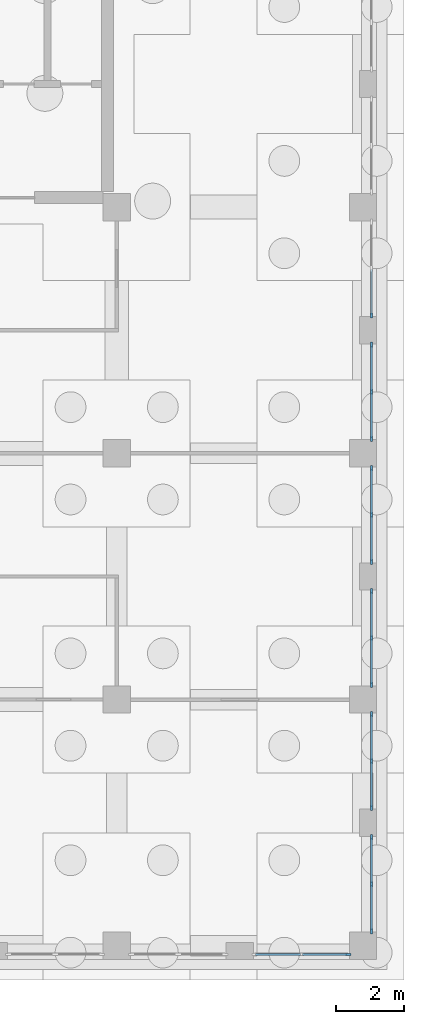
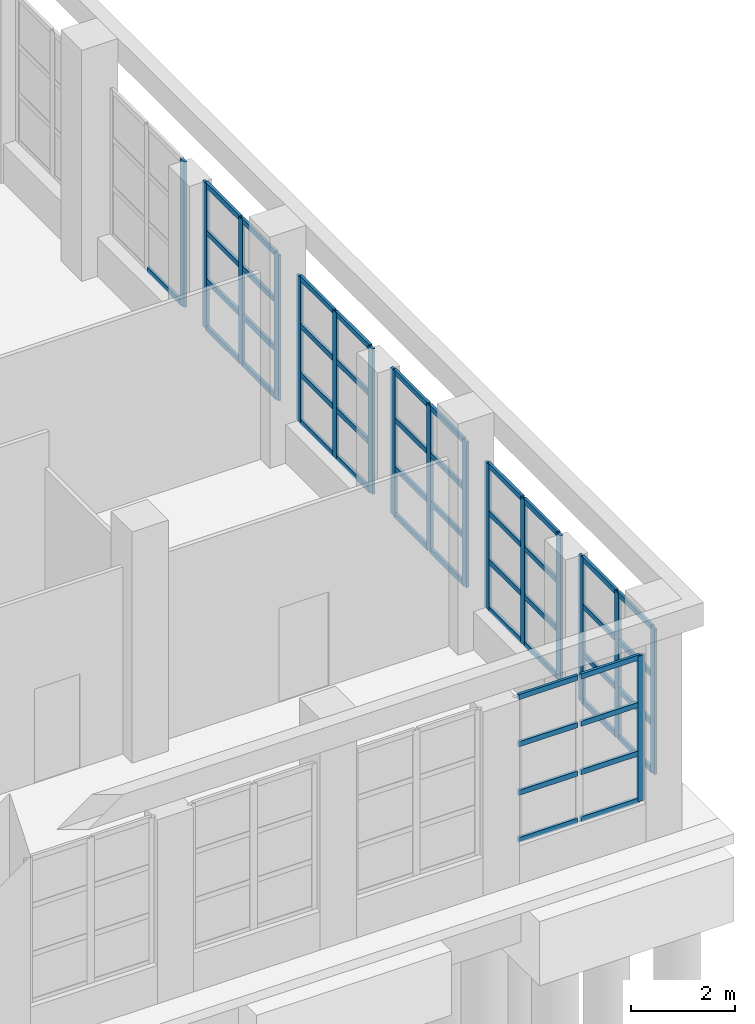
# One storey, part 18 of 80: 66 members, 7 elements without a shape of their own.
"""IFC4 building model written with IfcOpenShell, lengths in metres."""

from ifc_helpers import new_model, si_unit, direction, frame, origin, origin_2d, place, context, subcontext, project, spatial, rectangle, extrude, material, layer, layer_set, material_profile, profile_set, type_object, element, aggregate, save


model = new_model("IFC4")

# Units and contexts
model_context = context("Model", 3, precision=1e-05, world=origin(), true_north=direction((0.0, 1.0)))
body_context = subcontext(model_context, "Body", "Model", "MODEL_VIEW")
ifc_project = project(units=[si_unit("LENGTHUNIT", "METRE"), si_unit("AREAUNIT", "SQUARE_METRE"), si_unit("VOLUMEUNIT", "CUBIC_METRE"), si_unit("PLANEANGLEUNIT", "RADIAN"), si_unit("MASSUNIT", "GRAM", prefix="KILO")], contexts=[model_context])

# Site, building, storey
site_placement = place(None, origin())
site = spatial("IfcSite", under=ifc_project, at=site_placement, CompositionType="ELEMENT")
building_placement = place(site_placement, origin())
building = spatial("IfcBuilding", under=site, at=building_placement, Name="Ussher Court Research Institute", CompositionType="ELEMENT")
storey_placement = place(building_placement, origin())
storey = spatial("IfcBuildingStorey", under=building, at=storey_placement, Name="L00", CompositionType="ELEMENT", Elevation=0.0)

# Curtain wall, member
ifc_material_1 = material(Name="Bronze anodised aluminium with tinted glass", Category="aluminium")
ifc_layer = layer(ifc_material_1, 0.1201171875)
ifc_layer_set = layer_set([ifc_layer], Name="Bronze anodised aluminium with tinted glass")
curtain_wall_type = type_object("IfcCurtainWallType", Name="Curtain wall wet laboratory base storefront", PredefinedType="NOTDEFINED", material=ifc_layer_set)
curtain_wall_1_placement = place(storey_placement, origin())
curtain_wall_1 = element("IfcCurtainWall", 1, at=curtain_wall_1_placement, inside=storey, type_object=curtain_wall_type, Name="Curtain wall CW1 L00", PredefinedType="NOTDEFINED")
ifc_material_2 = material(Name="Bronze anodised aluminium", Category="aluminium")
ifc_material_profile_1 = material_profile(ifc_material_2, rectangle(XDim=0.06005859375, YDim=0.159912109375, at=origin_2d()), Name="Mullion 60x160")
ifc_profile_set_1 = profile_set([ifc_material_profile_1], Name="Bronze anodised aluminium")
member_type_1 = type_object("IfcMemberType", Name="Mullion 60x160", PredefinedType="MULLION", material=ifc_profile_set_1)
member_1_placement = place(storey_placement, frame((104.050048828125, 22.429931640625, 0.89990234375), z_axis=(0.0, 0.0, 1.0), x_axis=(1.0, 0.0, 0.0)))
member_1 = element("IfcMember", 2, at=member_1_placement, type_object=member_type_1, Name="CW1 mullion 3", PredefinedType="MULLION", context=body_context, shape_type="SweptSolid", body=[
    extrude(rectangle(XDim=0.06005859375, YDim=0.159912109375, at=origin_2d()), origin(), (0.0, 0.0, 1.0), 3.400146484375),
])

# Curtain wall, members
curtain_wall_2_placement = place(storey_placement, origin())
curtain_wall_2 = element("IfcCurtainWall", 3, at=curtain_wall_2_placement, inside=storey, type_object=curtain_wall_type, Name="Curtain wall CW1 L00", PredefinedType="NOTDEFINED")
member_2_placement = place(storey_placement, frame((104.050048828125, 21.570068359375, 0.89990234375), z_axis=(0.0, 0.0, 1.0), x_axis=(1.0, 0.0, 0.0)))
member_2 = element("IfcMember", 4, at=member_2_placement, type_object=member_type_1, Name="CW1 mullion 1", PredefinedType="MULLION", context=body_context, shape_type="SweptSolid", body=[
    extrude(rectangle(XDim=0.06005859375, YDim=0.159912109375, at=origin_2d()), origin(), (0.0, 0.0, 1.0), 3.400146484375),
])
member_3_placement = place(storey_placement, frame((104.050048828125, 20.199951171875, 0.89990234375), z_axis=(0.0, 0.0, 1.0), x_axis=(1.0, 0.0, 0.0)))
member_3 = element("IfcMember", 5, at=member_3_placement, type_object=member_type_1, Name="CW1 mullion 2", PredefinedType="MULLION", context=body_context, shape_type="SweptSolid", body=[
    extrude(rectangle(XDim=0.06005859375, YDim=0.159912109375, at=origin_2d()), origin(), (0.0, 0.0, 1.0), 3.400146484375),
])
member_4_placement = place(storey_placement, frame((104.050048828125, 18.830078125, 0.89990234375), z_axis=(0.0, 0.0, 1.0), x_axis=(1.0, 0.0, 0.0)))
member_4 = element("IfcMember", 6, at=member_4_placement, type_object=member_type_1, Name="CW1 mullion 3", PredefinedType="MULLION", context=body_context, shape_type="SweptSolid", body=[
    extrude(rectangle(XDim=0.06005859375, YDim=0.159912109375, at=origin_2d()), origin(), (0.0, 0.0, 1.0), 3.400146484375),
])

curtain_wall_3_placement = place(storey_placement, origin())
curtain_wall_3 = element("IfcCurtainWall", 7, at=curtain_wall_3_placement, inside=storey, type_object=curtain_wall_type, Name="Curtain wall CW1 L00", PredefinedType="NOTDEFINED")
member_5_placement = place(storey_placement, frame((104.050048828125, 17.969970703125, 0.89990234375), z_axis=(0.0, 0.0, 1.0), x_axis=(1.0, 0.0, 0.0)))
member_5 = element("IfcMember", 8, at=member_5_placement, type_object=member_type_1, Name="CW1 mullion 1", PredefinedType="MULLION", context=body_context, shape_type="SweptSolid", body=[
    extrude(rectangle(XDim=0.06005859375, YDim=0.159912109375, at=origin_2d()), origin(), (0.0, 0.0, 1.0), 3.400146484375),
])
member_6_placement = place(storey_placement, frame((104.050048828125, 16.60009765625, 0.89990234375), z_axis=(0.0, 0.0, 1.0), x_axis=(1.0, 0.0, 0.0)))
member_6 = element("IfcMember", 9, at=member_6_placement, type_object=member_type_1, Name="CW1 mullion 2", PredefinedType="MULLION", context=body_context, shape_type="SweptSolid", body=[
    extrude(rectangle(XDim=0.06005859375, YDim=0.159912109375, at=origin_2d()), origin(), (0.0, 0.0, 1.0), 3.400146484375),
])
member_7_placement = place(storey_placement, frame((104.050048828125, 15.22998046875, 0.89990234375), z_axis=(0.0, 0.0, 1.0), x_axis=(1.0, 0.0, 0.0)))
member_7 = element("IfcMember", 10, at=member_7_placement, type_object=member_type_1, Name="CW1 mullion 3", PredefinedType="MULLION", context=body_context, shape_type="SweptSolid", body=[
    extrude(rectangle(XDim=0.06005859375, YDim=0.159912109375, at=origin_2d()), origin(), (0.0, 0.0, 1.0), 3.400146484375),
])

curtain_wall_4_placement = place(storey_placement, origin())
curtain_wall_4 = element("IfcCurtainWall", 11, at=curtain_wall_4_placement, inside=storey, type_object=curtain_wall_type, Name="Curtain wall CW1 L00", PredefinedType="NOTDEFINED")
member_8_placement = place(storey_placement, frame((104.050048828125, 14.3701171875, 0.89990234375), z_axis=(0.0, 0.0, 1.0), x_axis=(1.0, 0.0, 0.0)))
member_8 = element("IfcMember", 12, at=member_8_placement, type_object=member_type_1, Name="CW1 mullion 1", PredefinedType="MULLION", context=body_context, shape_type="SweptSolid", body=[
    extrude(rectangle(XDim=0.06005859375, YDim=0.159912109375, at=origin_2d()), origin(), (0.0, 0.0, 1.0), 3.400146484375),
])
member_9_placement = place(storey_placement, frame((104.050048828125, 13.0, 0.89990234375), z_axis=(0.0, 0.0, 1.0), x_axis=(1.0, 0.0, 0.0)))
member_9 = element("IfcMember", 13, at=member_9_placement, type_object=member_type_1, Name="CW1 mullion 2", PredefinedType="MULLION", context=body_context, shape_type="SweptSolid", body=[
    extrude(rectangle(XDim=0.06005859375, YDim=0.159912109375, at=origin_2d()), origin(), (0.0, 0.0, 1.0), 3.400146484375),
])
member_10_placement = place(storey_placement, frame((104.050048828125, 11.6298828125, 0.89990234375), z_axis=(0.0, 0.0, 1.0), x_axis=(1.0, 0.0, 0.0)))
member_10 = element("IfcMember", 14, at=member_10_placement, type_object=member_type_1, Name="CW1 mullion 3", PredefinedType="MULLION", context=body_context, shape_type="SweptSolid", body=[
    extrude(rectangle(XDim=0.06005859375, YDim=0.159912109375, at=origin_2d()), origin(), (0.0, 0.0, 1.0), 3.400146484375),
])

curtain_wall_5_placement = place(storey_placement, origin())
curtain_wall_5 = element("IfcCurtainWall", 15, at=curtain_wall_5_placement, inside=storey, type_object=curtain_wall_type, Name="Curtain wall CW1 L00", PredefinedType="NOTDEFINED")
member_11_placement = place(storey_placement, frame((104.050048828125, 10.77001953125, 0.89990234375), z_axis=(0.0, 0.0, 1.0), x_axis=(1.0, 0.0, 0.0)))
member_11 = element("IfcMember", 16, at=member_11_placement, type_object=member_type_1, Name="CW1 mullion 1", PredefinedType="MULLION", context=body_context, shape_type="SweptSolid", body=[
    extrude(rectangle(XDim=0.06005859375, YDim=0.159912109375, at=origin_2d()), origin(), (0.0, 0.0, 1.0), 3.400146484375),
])
member_12_placement = place(storey_placement, frame((104.050048828125, 9.39990234375, 0.89990234375), z_axis=(0.0, 0.0, 1.0), x_axis=(1.0, 0.0, 0.0)))
member_12 = element("IfcMember", 17, at=member_12_placement, type_object=member_type_1, Name="CW1 mullion 2", PredefinedType="MULLION", context=body_context, shape_type="SweptSolid", body=[
    extrude(rectangle(XDim=0.06005859375, YDim=0.159912109375, at=origin_2d()), origin(), (0.0, 0.0, 1.0), 3.400146484375),
])
member_13_placement = place(storey_placement, frame((104.050048828125, 8.030029296875, 0.89990234375), z_axis=(0.0, 0.0, 1.0), x_axis=(1.0, 0.0, 0.0)))
member_13 = element("IfcMember", 18, at=member_13_placement, type_object=member_type_1, Name="CW1 mullion 3", PredefinedType="MULLION", context=body_context, shape_type="SweptSolid", body=[
    extrude(rectangle(XDim=0.06005859375, YDim=0.159912109375, at=origin_2d()), origin(), (0.0, 0.0, 1.0), 3.400146484375),
])

curtain_wall_6_placement = place(storey_placement, origin())
curtain_wall_6 = element("IfcCurtainWall", 19, at=curtain_wall_6_placement, inside=storey, type_object=curtain_wall_type, Name="Curtain wall CW1 L00", PredefinedType="NOTDEFINED")
member_14_placement = place(storey_placement, frame((104.050048828125, 7.169921875, 0.89990234375), z_axis=(0.0, 0.0, 1.0), x_axis=(1.0, 0.0, 0.0)))
member_14 = element("IfcMember", 20, at=member_14_placement, type_object=member_type_1, Name="CW1 mullion 1", PredefinedType="MULLION", context=body_context, shape_type="SweptSolid", body=[
    extrude(rectangle(XDim=0.06005859375, YDim=0.159912109375, at=origin_2d()), origin(), (0.0, 0.0, 1.0), 3.400146484375),
])
member_15_placement = place(storey_placement, frame((104.050048828125, 5.800048828125, 0.89990234375), z_axis=(0.0, 0.0, 1.0), x_axis=(1.0, 0.0, 0.0)))
member_15 = element("IfcMember", 21, at=member_15_placement, type_object=member_type_1, Name="CW1 mullion 2", PredefinedType="MULLION", context=body_context, shape_type="SweptSolid", body=[
    extrude(rectangle(XDim=0.06005859375, YDim=0.159912109375, at=origin_2d()), origin(), (0.0, 0.0, 1.0), 3.400146484375),
])
member_16_placement = place(storey_placement, frame((104.050048828125, 4.429931640625, 0.89990234375), z_axis=(0.0, 0.0, 1.0), x_axis=(1.0, 0.0, 0.0)))
member_16 = element("IfcMember", 22, at=member_16_placement, type_object=member_type_1, Name="CW1 mullion 3", PredefinedType="MULLION", context=body_context, shape_type="SweptSolid", body=[
    extrude(rectangle(XDim=0.06005859375, YDim=0.159912109375, at=origin_2d()), origin(), (0.0, 0.0, 1.0), 3.400146484375),
])

# Curtain wall, member
curtain_wall_7_placement = place(storey_placement, origin())
curtain_wall_7 = element("IfcCurtainWall", 23, at=curtain_wall_7_placement, inside=storey, type_object=curtain_wall_type, Name="Curtain wall CW1 L00", PredefinedType="NOTDEFINED")
member_17_placement = place(storey_placement, frame((103.3701171875, 3.75, 0.89990234375), z_axis=(0.0, 0.0, 1.0), x_axis=(0.0, -1.0, 0.0)))
member_17 = element("IfcMember", 24, at=member_17_placement, type_object=member_type_1, Name="CW1 mullion 1", PredefinedType="MULLION", context=body_context, shape_type="SweptSolid", body=[
    extrude(rectangle(XDim=0.06005859375, YDim=0.159912109375, at=origin_2d()), origin(), (0.0, 0.0, 1.0), 3.400146484375),
])

# Member
ifc_material_3 = material(Name="Bronze anodised aluminium", Category="aluminium")
ifc_material_profile_2 = material_profile(ifc_material_3, rectangle(XDim=0.06005859375, YDim=0.1201171875, at=origin_2d()), Name="Transom 60x120")
ifc_profile_set_2 = profile_set([ifc_material_profile_2], Name="Bronze anodised aluminium")
member_type_2 = type_object("IfcMemberType", Name="Transom 60x120", PredefinedType="USERDEFINED", material=ifc_profile_set_2)
member_18_placement = place(storey_placement, frame((104.050048828125, 23.77001953125, 0.929931640625), z_axis=(0.0, -1.0, 0.0), x_axis=(1.0, 0.0, 0.0)))
member_18 = element("IfcMember", 25, at=member_18_placement, type_object=member_type_2, Name="CW1 transom 2.1", ObjectType="TRANSOM", PredefinedType="USERDEFINED", context=body_context, shape_type="SweptSolid", body=[
    extrude(rectangle(XDim=0.06005859375, YDim=0.1201171875, at=origin_2d()), origin(), (0.0, 0.0, 1.0), 1.31005859375),
])

aggregate(curtain_wall_1, [member_1, member_18])

member_19_placement = place(storey_placement, frame((104.050048828125, 21.5400390625, 0.929931640625), z_axis=(0.0, -1.0, 0.0), x_axis=(1.0, 0.0, 0.0)))
member_19 = element("IfcMember", 26, at=member_19_placement, type_object=member_type_2, Name="CW1 transom 1.1", ObjectType="TRANSOM", PredefinedType="USERDEFINED", context=body_context, shape_type="SweptSolid", body=[
    extrude(rectangle(XDim=0.06005859375, YDim=0.1201171875, at=origin_2d()), origin(), (0.0, 0.0, 1.0), 1.31005859375),
])

member_20_placement = place(storey_placement, frame((104.050048828125, 21.5400390625, 2.033203125), z_axis=(0.0, -1.0, 0.0), x_axis=(1.0, 0.0, 0.0)))
member_20 = element("IfcMember", 27, at=member_20_placement, type_object=member_type_2, Name="CW1 transom 1.2", ObjectType="TRANSOM", PredefinedType="USERDEFINED", context=body_context, shape_type="SweptSolid", body=[
    extrude(rectangle(XDim=0.06005859375, YDim=0.1201171875, at=origin_2d()), origin(), (0.0, 0.0, 1.0), 1.31005859375),
])

member_21_placement = place(storey_placement, frame((104.050048828125, 21.5400390625, 3.166748046875), z_axis=(0.0, -1.0, 0.0), x_axis=(1.0, 0.0, 0.0)))
member_21 = element("IfcMember", 28, at=member_21_placement, type_object=member_type_2, Name="CW1 transom 1.3", ObjectType="TRANSOM", PredefinedType="USERDEFINED", context=body_context, shape_type="SweptSolid", body=[
    extrude(rectangle(XDim=0.06005859375, YDim=0.1201171875, at=origin_2d()), origin(), (0.0, 0.0, 1.0), 1.31005859375),
])

member_22_placement = place(storey_placement, frame((104.050048828125, 21.5400390625, 4.27001953125), z_axis=(0.0, -1.0, 0.0), x_axis=(1.0, 0.0, 0.0)))
member_22 = element("IfcMember", 29, at=member_22_placement, type_object=member_type_2, Name="CW1 transom 1.4", ObjectType="TRANSOM", PredefinedType="USERDEFINED", context=body_context, shape_type="SweptSolid", body=[
    extrude(rectangle(XDim=0.06005859375, YDim=0.1201171875, at=origin_2d()), origin(), (0.0, 0.0, 1.0), 1.31005859375),
])

member_23_placement = place(storey_placement, frame((104.050048828125, 20.169921875, 0.929931640625), z_axis=(0.0, -1.0, 0.0), x_axis=(1.0, 0.0, 0.0)))
member_23 = element("IfcMember", 30, at=member_23_placement, type_object=member_type_2, Name="CW1 transom 2.1", ObjectType="TRANSOM", PredefinedType="USERDEFINED", context=body_context, shape_type="SweptSolid", body=[
    extrude(rectangle(XDim=0.06005859375, YDim=0.1201171875, at=origin_2d()), origin(), (0.0, 0.0, 1.0), 1.309814453125),
])

member_24_placement = place(storey_placement, frame((104.050048828125, 20.169921875, 2.033203125), z_axis=(0.0, -1.0, 0.0), x_axis=(1.0, 0.0, 0.0)))
member_24 = element("IfcMember", 31, at=member_24_placement, type_object=member_type_2, Name="CW1 transom 2.2", ObjectType="TRANSOM", PredefinedType="USERDEFINED", context=body_context, shape_type="SweptSolid", body=[
    extrude(rectangle(XDim=0.06005859375, YDim=0.1201171875, at=origin_2d()), origin(), (0.0, 0.0, 1.0), 1.309814453125),
])

member_25_placement = place(storey_placement, frame((104.050048828125, 20.169921875, 3.166748046875), z_axis=(0.0, -1.0, 0.0), x_axis=(1.0, 0.0, 0.0)))
member_25 = element("IfcMember", 32, at=member_25_placement, type_object=member_type_2, Name="CW1 transom 2.3", ObjectType="TRANSOM", PredefinedType="USERDEFINED", context=body_context, shape_type="SweptSolid", body=[
    extrude(rectangle(XDim=0.06005859375, YDim=0.1201171875, at=origin_2d()), origin(), (0.0, 0.0, 1.0), 1.309814453125),
])

member_26_placement = place(storey_placement, frame((104.050048828125, 20.169921875, 4.27001953125), z_axis=(0.0, -1.0, 0.0), x_axis=(1.0, 0.0, 0.0)))
member_26 = element("IfcMember", 33, at=member_26_placement, type_object=member_type_2, Name="CW1 transom 2.4", ObjectType="TRANSOM", PredefinedType="USERDEFINED", context=body_context, shape_type="SweptSolid", body=[
    extrude(rectangle(XDim=0.06005859375, YDim=0.1201171875, at=origin_2d()), origin(), (0.0, 0.0, 1.0), 1.309814453125),
])

aggregate(curtain_wall_2, [member_2, member_3, member_4, member_19, member_20, member_21, member_22, member_23, member_24, member_25, member_26])

member_27_placement = place(storey_placement, frame((104.050048828125, 17.93994140625, 0.929931640625), z_axis=(0.0, -1.0, 0.0), x_axis=(1.0, 0.0, 0.0)))
member_27 = element("IfcMember", 34, at=member_27_placement, type_object=member_type_2, Name="CW1 transom 1.1", ObjectType="TRANSOM", PredefinedType="USERDEFINED", context=body_context, shape_type="SweptSolid", body=[
    extrude(rectangle(XDim=0.06005859375, YDim=0.1201171875, at=origin_2d()), origin(), (0.0, 0.0, 1.0), 1.31005859375),
])

member_28_placement = place(storey_placement, frame((104.050048828125, 17.93994140625, 2.033203125), z_axis=(0.0, -1.0, 0.0), x_axis=(1.0, 0.0, 0.0)))
member_28 = element("IfcMember", 35, at=member_28_placement, type_object=member_type_2, Name="CW1 transom 1.2", ObjectType="TRANSOM", PredefinedType="USERDEFINED", context=body_context, shape_type="SweptSolid", body=[
    extrude(rectangle(XDim=0.06005859375, YDim=0.1201171875, at=origin_2d()), origin(), (0.0, 0.0, 1.0), 1.31005859375),
])

member_29_placement = place(storey_placement, frame((104.050048828125, 17.93994140625, 3.166748046875), z_axis=(0.0, -1.0, 0.0), x_axis=(1.0, 0.0, 0.0)))
member_29 = element("IfcMember", 36, at=member_29_placement, type_object=member_type_2, Name="CW1 transom 1.3", ObjectType="TRANSOM", PredefinedType="USERDEFINED", context=body_context, shape_type="SweptSolid", body=[
    extrude(rectangle(XDim=0.06005859375, YDim=0.1201171875, at=origin_2d()), origin(), (0.0, 0.0, 1.0), 1.31005859375),
])

member_30_placement = place(storey_placement, frame((104.050048828125, 17.93994140625, 4.27001953125), z_axis=(0.0, -1.0, 0.0), x_axis=(1.0, 0.0, 0.0)))
member_30 = element("IfcMember", 37, at=member_30_placement, type_object=member_type_2, Name="CW1 transom 1.4", ObjectType="TRANSOM", PredefinedType="USERDEFINED", context=body_context, shape_type="SweptSolid", body=[
    extrude(rectangle(XDim=0.06005859375, YDim=0.1201171875, at=origin_2d()), origin(), (0.0, 0.0, 1.0), 1.31005859375),
])

member_31_placement = place(storey_placement, frame((104.050048828125, 16.570068359375, 0.929931640625), z_axis=(0.0, -1.0, 0.0), x_axis=(1.0, 0.0, 0.0)))
member_31 = element("IfcMember", 38, at=member_31_placement, type_object=member_type_2, Name="CW1 transom 2.1", ObjectType="TRANSOM", PredefinedType="USERDEFINED", context=body_context, shape_type="SweptSolid", body=[
    extrude(rectangle(XDim=0.06005859375, YDim=0.1201171875, at=origin_2d()), origin(), (0.0, 0.0, 1.0), 1.31005859375),
])

member_32_placement = place(storey_placement, frame((104.050048828125, 16.570068359375, 2.033203125), z_axis=(0.0, -1.0, 0.0), x_axis=(1.0, 0.0, 0.0)))
member_32 = element("IfcMember", 39, at=member_32_placement, type_object=member_type_2, Name="CW1 transom 2.2", ObjectType="TRANSOM", PredefinedType="USERDEFINED", context=body_context, shape_type="SweptSolid", body=[
    extrude(rectangle(XDim=0.06005859375, YDim=0.1201171875, at=origin_2d()), origin(), (0.0, 0.0, 1.0), 1.31005859375),
])

member_33_placement = place(storey_placement, frame((104.050048828125, 16.570068359375, 3.166748046875), z_axis=(0.0, -1.0, 0.0), x_axis=(1.0, 0.0, 0.0)))
member_33 = element("IfcMember", 40, at=member_33_placement, type_object=member_type_2, Name="CW1 transom 2.3", ObjectType="TRANSOM", PredefinedType="USERDEFINED", context=body_context, shape_type="SweptSolid", body=[
    extrude(rectangle(XDim=0.06005859375, YDim=0.1201171875, at=origin_2d()), origin(), (0.0, 0.0, 1.0), 1.31005859375),
])

member_34_placement = place(storey_placement, frame((104.050048828125, 16.570068359375, 4.27001953125), z_axis=(0.0, -1.0, 0.0), x_axis=(1.0, 0.0, 0.0)))
member_34 = element("IfcMember", 41, at=member_34_placement, type_object=member_type_2, Name="CW1 transom 2.4", ObjectType="TRANSOM", PredefinedType="USERDEFINED", context=body_context, shape_type="SweptSolid", body=[
    extrude(rectangle(XDim=0.06005859375, YDim=0.1201171875, at=origin_2d()), origin(), (0.0, 0.0, 1.0), 1.31005859375),
])

aggregate(curtain_wall_3, [member_5, member_6, member_7, member_27, member_28, member_29, member_30, member_31, member_32, member_33, member_34])

member_35_placement = place(storey_placement, frame((104.050048828125, 14.340087890625, 0.929931640625), z_axis=(0.0, -1.0, 0.0), x_axis=(1.0, 0.0, 0.0)))
member_35 = element("IfcMember", 42, at=member_35_placement, type_object=member_type_2, Name="CW1 transom 1.1", ObjectType="TRANSOM", PredefinedType="USERDEFINED", context=body_context, shape_type="SweptSolid", body=[
    extrude(rectangle(XDim=0.06005859375, YDim=0.1201171875, at=origin_2d()), origin(), (0.0, 0.0, 1.0), 1.31005859375),
])

member_36_placement = place(storey_placement, frame((104.050048828125, 14.340087890625, 2.033203125), z_axis=(0.0, -1.0, 0.0), x_axis=(1.0, 0.0, 0.0)))
member_36 = element("IfcMember", 43, at=member_36_placement, type_object=member_type_2, Name="CW1 transom 1.2", ObjectType="TRANSOM", PredefinedType="USERDEFINED", context=body_context, shape_type="SweptSolid", body=[
    extrude(rectangle(XDim=0.06005859375, YDim=0.1201171875, at=origin_2d()), origin(), (0.0, 0.0, 1.0), 1.31005859375),
])

member_37_placement = place(storey_placement, frame((104.050048828125, 14.340087890625, 3.166748046875), z_axis=(0.0, -1.0, 0.0), x_axis=(1.0, 0.0, 0.0)))
member_37 = element("IfcMember", 44, at=member_37_placement, type_object=member_type_2, Name="CW1 transom 1.3", ObjectType="TRANSOM", PredefinedType="USERDEFINED", context=body_context, shape_type="SweptSolid", body=[
    extrude(rectangle(XDim=0.06005859375, YDim=0.1201171875, at=origin_2d()), origin(), (0.0, 0.0, 1.0), 1.31005859375),
])

member_38_placement = place(storey_placement, frame((104.050048828125, 14.340087890625, 4.27001953125), z_axis=(0.0, -1.0, 0.0), x_axis=(1.0, 0.0, 0.0)))
member_38 = element("IfcMember", 45, at=member_38_placement, type_object=member_type_2, Name="CW1 transom 1.4", ObjectType="TRANSOM", PredefinedType="USERDEFINED", context=body_context, shape_type="SweptSolid", body=[
    extrude(rectangle(XDim=0.06005859375, YDim=0.1201171875, at=origin_2d()), origin(), (0.0, 0.0, 1.0), 1.31005859375),
])

member_39_placement = place(storey_placement, frame((104.050048828125, 12.969970703125, 0.929931640625), z_axis=(0.0, -1.0, 0.0), x_axis=(1.0, 0.0, 0.0)))
member_39 = element("IfcMember", 46, at=member_39_placement, type_object=member_type_2, Name="CW1 transom 2.1", ObjectType="TRANSOM", PredefinedType="USERDEFINED", context=body_context, shape_type="SweptSolid", body=[
    extrude(rectangle(XDim=0.06005859375, YDim=0.1201171875, at=origin_2d()), origin(), (0.0, 0.0, 1.0), 1.31005859375),
])

member_40_placement = place(storey_placement, frame((104.050048828125, 12.969970703125, 2.033203125), z_axis=(0.0, -1.0, 0.0), x_axis=(1.0, 0.0, 0.0)))
member_40 = element("IfcMember", 47, at=member_40_placement, type_object=member_type_2, Name="CW1 transom 2.2", ObjectType="TRANSOM", PredefinedType="USERDEFINED", context=body_context, shape_type="SweptSolid", body=[
    extrude(rectangle(XDim=0.06005859375, YDim=0.1201171875, at=origin_2d()), origin(), (0.0, 0.0, 1.0), 1.31005859375),
])

member_41_placement = place(storey_placement, frame((104.050048828125, 12.969970703125, 3.166748046875), z_axis=(0.0, -1.0, 0.0), x_axis=(1.0, 0.0, 0.0)))
member_41 = element("IfcMember", 48, at=member_41_placement, type_object=member_type_2, Name="CW1 transom 2.3", ObjectType="TRANSOM", PredefinedType="USERDEFINED", context=body_context, shape_type="SweptSolid", body=[
    extrude(rectangle(XDim=0.06005859375, YDim=0.1201171875, at=origin_2d()), origin(), (0.0, 0.0, 1.0), 1.31005859375),
])

member_42_placement = place(storey_placement, frame((104.050048828125, 12.969970703125, 4.27001953125), z_axis=(0.0, -1.0, 0.0), x_axis=(1.0, 0.0, 0.0)))
member_42 = element("IfcMember", 49, at=member_42_placement, type_object=member_type_2, Name="CW1 transom 2.4", ObjectType="TRANSOM", PredefinedType="USERDEFINED", context=body_context, shape_type="SweptSolid", body=[
    extrude(rectangle(XDim=0.06005859375, YDim=0.1201171875, at=origin_2d()), origin(), (0.0, 0.0, 1.0), 1.31005859375),
])

aggregate(curtain_wall_4, [member_8, member_9, member_10, member_35, member_36, member_37, member_38, member_39, member_40, member_41, member_42])

member_43_placement = place(storey_placement, frame((104.050048828125, 10.739990234375, 0.929931640625), z_axis=(0.0, -1.0, 0.0), x_axis=(1.0, 0.0, 0.0)))
member_43 = element("IfcMember", 50, at=member_43_placement, type_object=member_type_2, Name="CW1 transom 1.1", ObjectType="TRANSOM", PredefinedType="USERDEFINED", context=body_context, shape_type="SweptSolid", body=[
    extrude(rectangle(XDim=0.06005859375, YDim=0.1201171875, at=origin_2d()), origin(), (0.0, 0.0, 1.0), 1.31005859375),
])

member_44_placement = place(storey_placement, frame((104.050048828125, 10.739990234375, 2.033203125), z_axis=(0.0, -1.0, 0.0), x_axis=(1.0, 0.0, 0.0)))
member_44 = element("IfcMember", 51, at=member_44_placement, type_object=member_type_2, Name="CW1 transom 1.2", ObjectType="TRANSOM", PredefinedType="USERDEFINED", context=body_context, shape_type="SweptSolid", body=[
    extrude(rectangle(XDim=0.06005859375, YDim=0.1201171875, at=origin_2d()), origin(), (0.0, 0.0, 1.0), 1.31005859375),
])

member_45_placement = place(storey_placement, frame((104.050048828125, 10.739990234375, 3.166748046875), z_axis=(0.0, -1.0, 0.0), x_axis=(1.0, 0.0, 0.0)))
member_45 = element("IfcMember", 52, at=member_45_placement, type_object=member_type_2, Name="CW1 transom 1.3", ObjectType="TRANSOM", PredefinedType="USERDEFINED", context=body_context, shape_type="SweptSolid", body=[
    extrude(rectangle(XDim=0.06005859375, YDim=0.1201171875, at=origin_2d()), origin(), (0.0, 0.0, 1.0), 1.31005859375),
])

member_46_placement = place(storey_placement, frame((104.050048828125, 10.739990234375, 4.27001953125), z_axis=(0.0, -1.0, 0.0), x_axis=(1.0, 0.0, 0.0)))
member_46 = element("IfcMember", 53, at=member_46_placement, type_object=member_type_2, Name="CW1 transom 1.4", ObjectType="TRANSOM", PredefinedType="USERDEFINED", context=body_context, shape_type="SweptSolid", body=[
    extrude(rectangle(XDim=0.06005859375, YDim=0.1201171875, at=origin_2d()), origin(), (0.0, 0.0, 1.0), 1.31005859375),
])

member_47_placement = place(storey_placement, frame((104.050048828125, 9.3701171875, 0.929931640625), z_axis=(0.0, -1.0, 0.0), x_axis=(1.0, 0.0, 0.0)))
member_47 = element("IfcMember", 54, at=member_47_placement, type_object=member_type_2, Name="CW1 transom 2.1", ObjectType="TRANSOM", PredefinedType="USERDEFINED", context=body_context, shape_type="SweptSolid", body=[
    extrude(rectangle(XDim=0.06005859375, YDim=0.1201171875, at=origin_2d()), origin(), (0.0, 0.0, 1.0), 1.31005859375),
])

member_48_placement = place(storey_placement, frame((104.050048828125, 9.3701171875, 2.033203125), z_axis=(0.0, -1.0, 0.0), x_axis=(1.0, 0.0, 0.0)))
member_48 = element("IfcMember", 55, at=member_48_placement, type_object=member_type_2, Name="CW1 transom 2.2", ObjectType="TRANSOM", PredefinedType="USERDEFINED", context=body_context, shape_type="SweptSolid", body=[
    extrude(rectangle(XDim=0.06005859375, YDim=0.1201171875, at=origin_2d()), origin(), (0.0, 0.0, 1.0), 1.31005859375),
])

member_49_placement = place(storey_placement, frame((104.050048828125, 9.3701171875, 3.166748046875), z_axis=(0.0, -1.0, 0.0), x_axis=(1.0, 0.0, 0.0)))
member_49 = element("IfcMember", 56, at=member_49_placement, type_object=member_type_2, Name="CW1 transom 2.3", ObjectType="TRANSOM", PredefinedType="USERDEFINED", context=body_context, shape_type="SweptSolid", body=[
    extrude(rectangle(XDim=0.06005859375, YDim=0.1201171875, at=origin_2d()), origin(), (0.0, 0.0, 1.0), 1.31005859375),
])

member_50_placement = place(storey_placement, frame((104.050048828125, 9.3701171875, 4.27001953125), z_axis=(0.0, -1.0, 0.0), x_axis=(1.0, 0.0, 0.0)))
member_50 = element("IfcMember", 57, at=member_50_placement, type_object=member_type_2, Name="CW1 transom 2.4", ObjectType="TRANSOM", PredefinedType="USERDEFINED", context=body_context, shape_type="SweptSolid", body=[
    extrude(rectangle(XDim=0.06005859375, YDim=0.1201171875, at=origin_2d()), origin(), (0.0, 0.0, 1.0), 1.31005859375),
])

aggregate(curtain_wall_5, [member_11, member_12, member_13, member_43, member_44, member_45, member_46, member_47, member_48, member_49, member_50])

member_51_placement = place(storey_placement, frame((104.050048828125, 7.139892578125, 0.929931640625), z_axis=(0.0, -1.0, 0.0), x_axis=(1.0, 0.0, 0.0)))
member_51 = element("IfcMember", 58, at=member_51_placement, type_object=member_type_2, Name="CW1 transom 1.1", ObjectType="TRANSOM", PredefinedType="USERDEFINED", context=body_context, shape_type="SweptSolid", body=[
    extrude(rectangle(XDim=0.06005859375, YDim=0.1201171875, at=origin_2d()), origin(), (0.0, 0.0, 1.0), 1.309814453125),
])

member_52_placement = place(storey_placement, frame((104.050048828125, 7.139892578125, 2.033203125), z_axis=(0.0, -1.0, 0.0), x_axis=(1.0, 0.0, 0.0)))
member_52 = element("IfcMember", 59, at=member_52_placement, type_object=member_type_2, Name="CW1 transom 1.2", ObjectType="TRANSOM", PredefinedType="USERDEFINED", context=body_context, shape_type="SweptSolid", body=[
    extrude(rectangle(XDim=0.06005859375, YDim=0.1201171875, at=origin_2d()), origin(), (0.0, 0.0, 1.0), 1.309814453125),
])

member_53_placement = place(storey_placement, frame((104.050048828125, 7.139892578125, 3.166748046875), z_axis=(0.0, -1.0, 0.0), x_axis=(1.0, 0.0, 0.0)))
member_53 = element("IfcMember", 60, at=member_53_placement, type_object=member_type_2, Name="CW1 transom 1.3", ObjectType="TRANSOM", PredefinedType="USERDEFINED", context=body_context, shape_type="SweptSolid", body=[
    extrude(rectangle(XDim=0.06005859375, YDim=0.1201171875, at=origin_2d()), origin(), (0.0, 0.0, 1.0), 1.309814453125),
])

member_54_placement = place(storey_placement, frame((104.050048828125, 7.139892578125, 4.27001953125), z_axis=(0.0, -1.0, 0.0), x_axis=(1.0, 0.0, 0.0)))
member_54 = element("IfcMember", 61, at=member_54_placement, type_object=member_type_2, Name="CW1 transom 1.4", ObjectType="TRANSOM", PredefinedType="USERDEFINED", context=body_context, shape_type="SweptSolid", body=[
    extrude(rectangle(XDim=0.06005859375, YDim=0.1201171875, at=origin_2d()), origin(), (0.0, 0.0, 1.0), 1.309814453125),
])

member_55_placement = place(storey_placement, frame((104.050048828125, 5.77001953125, 0.929931640625), z_axis=(0.0, -1.0, 0.0), x_axis=(1.0, 0.0, 0.0)))
member_55 = element("IfcMember", 62, at=member_55_placement, type_object=member_type_2, Name="CW1 transom 2.1", ObjectType="TRANSOM", PredefinedType="USERDEFINED", context=body_context, shape_type="SweptSolid", body=[
    extrude(rectangle(XDim=0.06005859375, YDim=0.1201171875, at=origin_2d()), origin(), (0.0, 0.0, 1.0), 1.31005859375),
])

member_56_placement = place(storey_placement, frame((104.050048828125, 5.77001953125, 2.033203125), z_axis=(0.0, -1.0, 0.0), x_axis=(1.0, 0.0, 0.0)))
member_56 = element("IfcMember", 63, at=member_56_placement, type_object=member_type_2, Name="CW1 transom 2.2", ObjectType="TRANSOM", PredefinedType="USERDEFINED", context=body_context, shape_type="SweptSolid", body=[
    extrude(rectangle(XDim=0.06005859375, YDim=0.1201171875, at=origin_2d()), origin(), (0.0, 0.0, 1.0), 1.31005859375),
])

member_57_placement = place(storey_placement, frame((104.050048828125, 5.77001953125, 3.166748046875), z_axis=(0.0, -1.0, 0.0), x_axis=(1.0, 0.0, 0.0)))
member_57 = element("IfcMember", 64, at=member_57_placement, type_object=member_type_2, Name="CW1 transom 2.3", ObjectType="TRANSOM", PredefinedType="USERDEFINED", context=body_context, shape_type="SweptSolid", body=[
    extrude(rectangle(XDim=0.06005859375, YDim=0.1201171875, at=origin_2d()), origin(), (0.0, 0.0, 1.0), 1.31005859375),
])

member_58_placement = place(storey_placement, frame((104.050048828125, 5.77001953125, 4.27001953125), z_axis=(0.0, -1.0, 0.0), x_axis=(1.0, 0.0, 0.0)))
member_58 = element("IfcMember", 65, at=member_58_placement, type_object=member_type_2, Name="CW1 transom 2.4", ObjectType="TRANSOM", PredefinedType="USERDEFINED", context=body_context, shape_type="SweptSolid", body=[
    extrude(rectangle(XDim=0.06005859375, YDim=0.1201171875, at=origin_2d()), origin(), (0.0, 0.0, 1.0), 1.31005859375),
])

aggregate(curtain_wall_6, [member_14, member_15, member_16, member_51, member_52, member_53, member_54, member_55, member_56, member_57, member_58])

member_59_placement = place(storey_placement, frame((103.340087890625, 3.75, 0.929931640625), z_axis=(-1.0, 0.0, 0.0), x_axis=(0.0, -1.0, 0.0)))
member_59 = element("IfcMember", 66, at=member_59_placement, type_object=member_type_2, Name="CW1 transom 1.1", ObjectType="TRANSOM", PredefinedType="USERDEFINED", context=body_context, shape_type="SweptSolid", body=[
    extrude(rectangle(XDim=0.06005859375, YDim=0.1201171875, at=origin_2d()), origin(), (0.0, 0.0, 1.0), 1.31005859375),
])

member_60_placement = place(storey_placement, frame((103.340087890625, 3.75, 2.033203125), z_axis=(-1.0, 0.0, 0.0), x_axis=(0.0, -1.0, 0.0)))
member_60 = element("IfcMember", 67, at=member_60_placement, type_object=member_type_2, Name="CW1 transom 1.2", ObjectType="TRANSOM", PredefinedType="USERDEFINED", context=body_context, shape_type="SweptSolid", body=[
    extrude(rectangle(XDim=0.06005859375, YDim=0.1201171875, at=origin_2d()), origin(), (0.0, 0.0, 1.0), 1.31005859375),
])

member_61_placement = place(storey_placement, frame((103.340087890625, 3.75, 3.166748046875), z_axis=(-1.0, 0.0, 0.0), x_axis=(0.0, -1.0, 0.0)))
member_61 = element("IfcMember", 68, at=member_61_placement, type_object=member_type_2, Name="CW1 transom 1.3", ObjectType="TRANSOM", PredefinedType="USERDEFINED", context=body_context, shape_type="SweptSolid", body=[
    extrude(rectangle(XDim=0.06005859375, YDim=0.1201171875, at=origin_2d()), origin(), (0.0, 0.0, 1.0), 1.31005859375),
])

member_62_placement = place(storey_placement, frame((103.340087890625, 3.75, 4.27001953125), z_axis=(-1.0, 0.0, 0.0), x_axis=(0.0, -1.0, 0.0)))
member_62 = element("IfcMember", 69, at=member_62_placement, type_object=member_type_2, Name="CW1 transom 1.4", ObjectType="TRANSOM", PredefinedType="USERDEFINED", context=body_context, shape_type="SweptSolid", body=[
    extrude(rectangle(XDim=0.06005859375, YDim=0.1201171875, at=origin_2d()), origin(), (0.0, 0.0, 1.0), 1.31005859375),
])

member_63_placement = place(storey_placement, frame((101.969970703125, 3.75, 0.929931640625), z_axis=(-1.0, 0.0, 0.0), x_axis=(0.0, -1.0, 0.0)))
member_63 = element("IfcMember", 70, at=member_63_placement, type_object=member_type_2, Name="CW1 transom 2.1", ObjectType="TRANSOM", PredefinedType="USERDEFINED", context=body_context, shape_type="SweptSolid", body=[
    extrude(rectangle(XDim=0.06005859375, YDim=0.1201171875, at=origin_2d()), origin(), (0.0, 0.0, 1.0), 1.31005859375),
])

member_64_placement = place(storey_placement, frame((101.969970703125, 3.75, 2.033203125), z_axis=(-1.0, 0.0, 0.0), x_axis=(0.0, -1.0, 0.0)))
member_64 = element("IfcMember", 71, at=member_64_placement, type_object=member_type_2, Name="CW1 transom 2.2", ObjectType="TRANSOM", PredefinedType="USERDEFINED", context=body_context, shape_type="SweptSolid", body=[
    extrude(rectangle(XDim=0.06005859375, YDim=0.1201171875, at=origin_2d()), origin(), (0.0, 0.0, 1.0), 1.31005859375),
])

member_65_placement = place(storey_placement, frame((101.969970703125, 3.75, 3.166748046875), z_axis=(-1.0, 0.0, 0.0), x_axis=(0.0, -1.0, 0.0)))
member_65 = element("IfcMember", 72, at=member_65_placement, type_object=member_type_2, Name="CW1 transom 2.3", ObjectType="TRANSOM", PredefinedType="USERDEFINED", context=body_context, shape_type="SweptSolid", body=[
    extrude(rectangle(XDim=0.06005859375, YDim=0.1201171875, at=origin_2d()), origin(), (0.0, 0.0, 1.0), 1.31005859375),
])

member_66_placement = place(storey_placement, frame((101.969970703125, 3.75, 4.27001953125), z_axis=(-1.0, 0.0, 0.0), x_axis=(0.0, -1.0, 0.0)))
member_66 = element("IfcMember", 73, at=member_66_placement, type_object=member_type_2, Name="CW1 transom 2.4", ObjectType="TRANSOM", PredefinedType="USERDEFINED", context=body_context, shape_type="SweptSolid", body=[
    extrude(rectangle(XDim=0.06005859375, YDim=0.1201171875, at=origin_2d()), origin(), (0.0, 0.0, 1.0), 1.31005859375),
])

aggregate(curtain_wall_7, [member_17, member_59, member_60, member_61, member_62, member_63, member_64, member_65, member_66])

save(model, "model.ifc")
